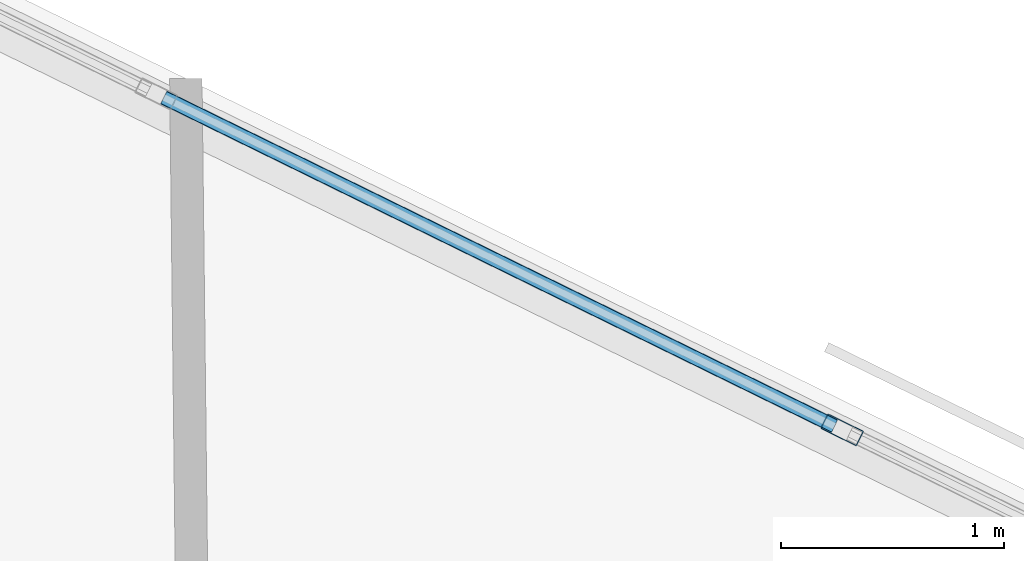
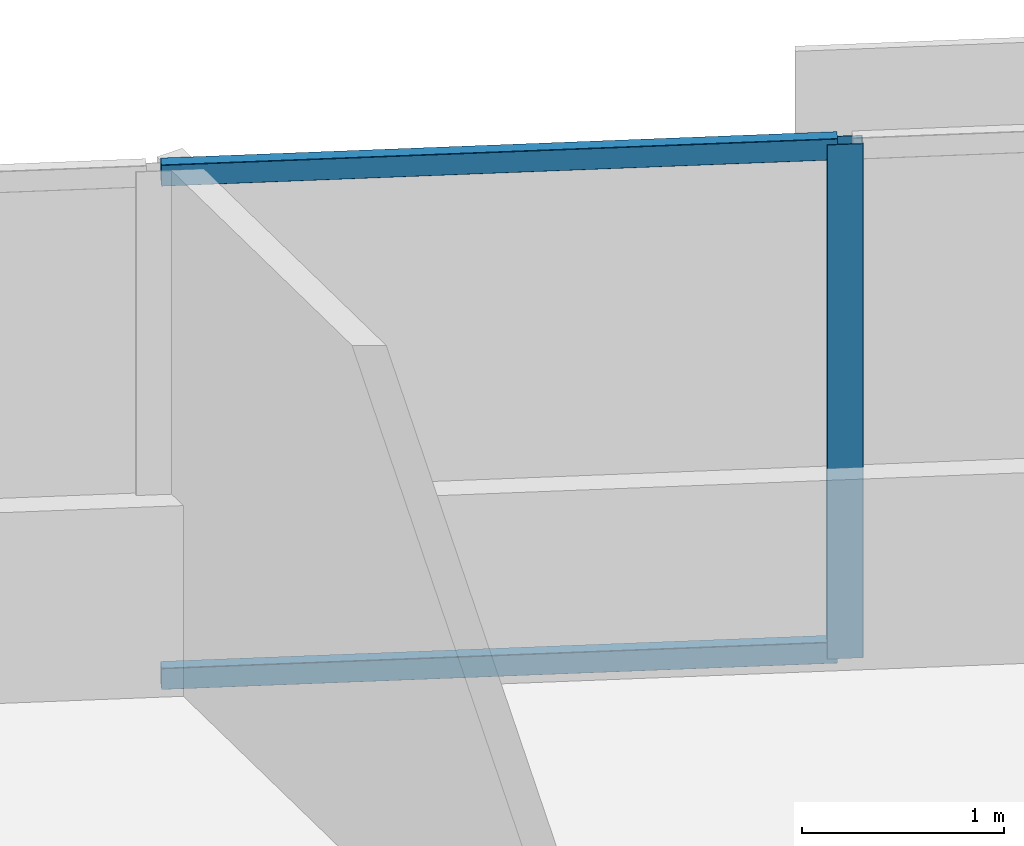
# One storey, part 11 of 20: 3 members, 1 element without a shape of its own.
"""IFC4 building model written with IfcOpenShell, lengths in metres."""

from ifc_helpers import new_model, si_unit, direction, frame, origin, origin_2d, place, context, subcontext, project, spatial, hollow_rectangle, extrude, material, material_profile, profile_set, type_object, element, aggregate, save


model = new_model("IFC4")

# Units and contexts
model_context = context("Model", 3, precision=1e-05, world=origin(), true_north=direction((0.0, 1.0)))
body_context = subcontext(model_context, "Body", "Model", "MODEL_VIEW")
ifc_project = project(units=[si_unit("LENGTHUNIT", "METRE"), si_unit("AREAUNIT", "SQUARE_METRE"), si_unit("VOLUMEUNIT", "CUBIC_METRE"), si_unit("PLANEANGLEUNIT", "RADIAN"), si_unit("MASSUNIT", "GRAM", prefix="KILO")], contexts=[model_context])

# Site, building, storey
site_placement = place(None, origin())
site = spatial("IfcSite", under=ifc_project, at=site_placement, CompositionType="ELEMENT")
building_placement = place(site_placement, origin())
building = spatial("IfcBuilding", under=site, at=building_placement, Name="Narakoshi Arena Tower", CompositionType="ELEMENT")
storey_placement = place(building_placement, frame((0.0, 0.0, 124.5)))
storey = spatial("IfcBuildingStorey", under=building, at=storey_placement, Name="L33", CompositionType="ELEMENT", Elevation=124.5)

# Curtain wall, members
ifc_material = material(Name="Anodised bronze aluminium 6063-T6", Category="aluminium")
curtain_wall_type = type_object("IfcCurtainWallType", Name="CW-HYP-LOW", PredefinedType="NOTDEFINED", material=ifc_material)
curtain_wall_placement = place(storey_placement, origin())
curtain_wall = element("IfcCurtainWall", 1, at=curtain_wall_placement, inside=storey, type_object=curtain_wall_type, Name="L33 Folded Hypotenuse Curtain Wall 2-1", PredefinedType="NOTDEFINED")
ifc_material_profile_1 = material_profile(ifc_material, hollow_rectangle(XDim=0.074951171875, YDim=0.179931640625, WallThickness=0.00390625, OuterFilletRadius=0.0048828125, at=origin_2d()), Name="MUL180x75x4")
ifc_profile_set_1 = profile_set([ifc_material_profile_1], Name="Anodised bronze aluminium 6063-T6")
member_type_1 = type_object("IfcMemberType", Name="MEM-MUL-180", PredefinedType="MULLION", material=ifc_profile_set_1)
member_1_placement = place(storey_placement, frame((81.486083984375, 65.51025390625, 0.0), z_axis=(0.0, 0.0, 1.0), x_axis=(-0.440004510198, -0.89799556291, 0.0)))
member_1 = element("IfcMember", 2, at=member_1_placement, type_object=member_type_1, Name="CW-01 mullion 3", PredefinedType="MULLION", context=body_context, shape_type="SweptSolid", body=[
    extrude(hollow_rectangle(XDim=0.074951171875, YDim=0.179931640625, WallThickness=0.00390625, OuterFilletRadius=0.0048828125, at=origin_2d()), origin(), (0.0, 0.0, 1.0), 3.10009765625),
])
ifc_material_profile_2 = material_profile(ifc_material, hollow_rectangle(XDim=0.06494140625, YDim=0.1298828125, WallThickness=0.00390625, OuterFilletRadius=0.0048828125, at=origin_2d()), Name="TRN130x65x4")
ifc_profile_set_2 = profile_set([ifc_material_profile_2], Name="Anodised bronze aluminium 6063-T6")
member_type_2 = type_object("IfcMemberType", Name="MEM-TRN-130", PredefinedType="USERDEFINED", material=ifc_profile_set_2)
member_2_placement = place(storey_placement, frame((81.452392578125, 65.52685546875, 0.032470703125), z_axis=(-0.898000963691, 0.439993487691, 0.0), x_axis=(-0.439993487691, -0.898000963691, 0.0)))
member_2 = element("IfcMember", 3, at=member_2_placement, type_object=member_type_2, Name="CW-01 transom 3.1", ObjectType="TRANSOM", PredefinedType="USERDEFINED", context=body_context, shape_type="SweptSolid", body=[
    extrude(hollow_rectangle(XDim=0.06494140625, YDim=0.1298828125, WallThickness=0.00390625, OuterFilletRadius=0.0048828125, at=origin_2d()), origin(), (0.0, 0.0, 1.0), 3.34765625),
])
member_3_placement = place(storey_placement, frame((81.452392578125, 65.52685546875, 3.0673828125), z_axis=(-0.898000963691, 0.439993487691, 0.0), x_axis=(-0.439993487691, -0.898000963691, 0.0)))
member_3 = element("IfcMember", 4, at=member_3_placement, type_object=member_type_2, Name="CW-01 transom 3.2", ObjectType="TRANSOM", PredefinedType="USERDEFINED", context=body_context, shape_type="SweptSolid", body=[
    extrude(hollow_rectangle(XDim=0.06494140625, YDim=0.1298828125, WallThickness=0.00390625, OuterFilletRadius=0.0048828125, at=origin_2d()), origin(), (0.0, 0.0, 1.0), 3.34765625),
])
aggregate(curtain_wall, [member_1, member_2, member_3])

save(model, "model.ifc")
